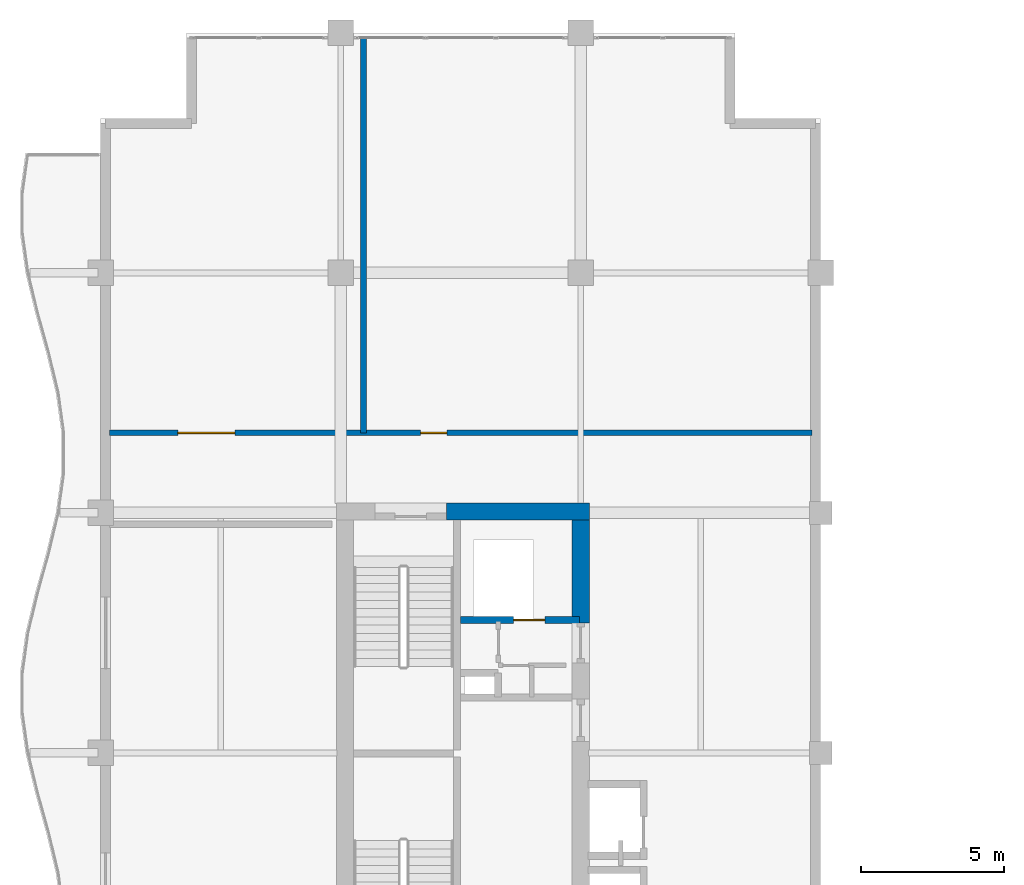
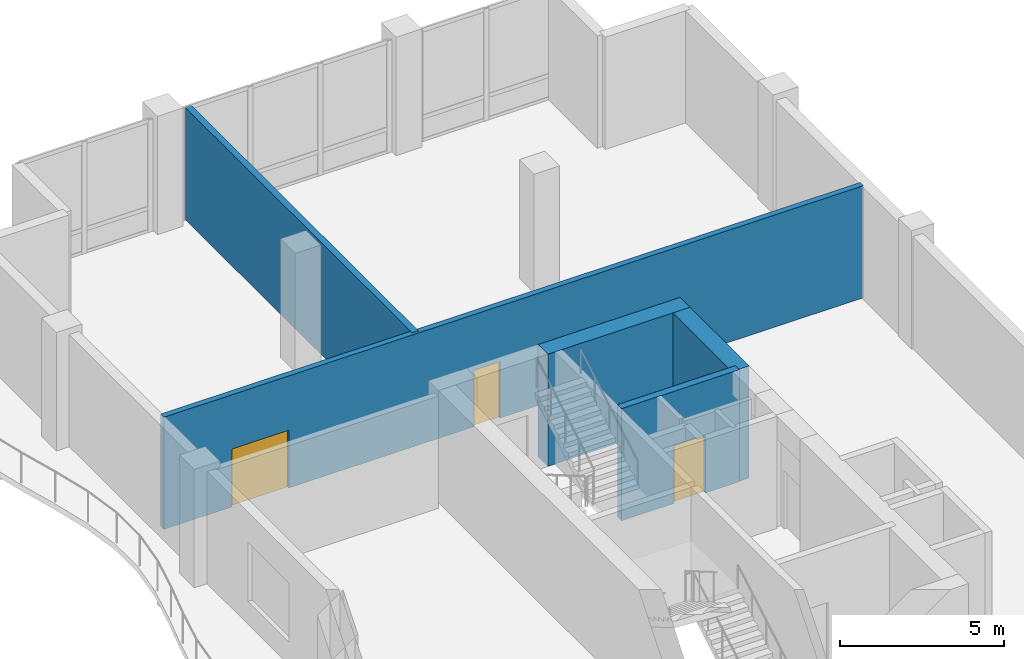
# One storey, part 9 of 16: 5 walls, 3 doors, 3 openings.
"""IFC4 building model written with IfcOpenShell, lengths in metres."""

from ifc_helpers import new_model, si_unit, direction, frame, frame_2d, origin, place, context, subcontext, project, spatial, rectangle, extrude, material, layer, layer_set, type_object, element, fill, save


model = new_model("IFC4")

# Units and contexts
model_context = context("Model", 3, precision=1e-05, world=origin(), true_north=direction((0.0, 1.0)))
body_context = subcontext(model_context, "Body", "Model", "MODEL_VIEW")
ifc_project = project(units=[si_unit("LENGTHUNIT", "METRE"), si_unit("AREAUNIT", "SQUARE_METRE"), si_unit("VOLUMEUNIT", "CUBIC_METRE"), si_unit("PLANEANGLEUNIT", "RADIAN"), si_unit("MASSUNIT", "GRAM", prefix="KILO")], contexts=[model_context])

# Site, building, storey
site_placement = place(None, origin())
site = spatial("IfcSite", under=ifc_project, at=site_placement, CompositionType="ELEMENT")
building_placement = place(site_placement, origin())
building = spatial("IfcBuilding", under=site, at=building_placement, Name="Koriwani Terraces Tower", CompositionType="ELEMENT")
storey_placement = place(building_placement, frame((0.0, 0.0, 286.0)))
storey = spatial("IfcBuildingStorey", under=building, at=storey_placement, Name="L71", CompositionType="ELEMENT", Elevation=286.0)

# Walls
ifc_material_1 = material(Name="Concrete C60/75", Category="concrete")
ifc_layer_1 = layer(ifc_material_1, 0.60009765625, Name="Concrete C60/75")
ifc_layer_set_1 = layer_set([ifc_layer_1], Name="Concrete C60/75")
wall_type_1 = type_object("IfcWallType", Name="WALL_CORE_RC_600", PredefinedType="SHEAR", material=ifc_layer_set_1)
wall_1_placement = place(storey_placement, frame((20.5, 58.85009765625, 0.0), z_axis=(0.0, 0.0, 1.0), x_axis=(1.0, 0.0, 0.0)))
element("IfcWall", 1, at=wall_1_placement, inside=storey, type_object=wall_type_1, Name="L71 West Split Core Shear Wall N2", PredefinedType="SHEAR", context=body_context, shape_type="SweptSolid", body=[
    extrude(rectangle(XDim=5.0, YDim=0.60009765625, at=frame_2d((2.5, 0.0))), origin(), (0.0, 0.0, 1.0), 4.169921875),
])
wall_2_placement = place(storey_placement, frame((25.199951171875, 54.949951171875, 0.0), z_axis=(0.0, 0.0, 1.0), x_axis=(0.0, 1.0, 0.0)))
element("IfcWall", 2, at=wall_2_placement, inside=storey, type_object=wall_type_1, Name="L71 West Split Core Shear Wall E3", PredefinedType="SHEAR", context=body_context, shape_type="SweptSolid", body=[
    extrude(rectangle(XDim=3.60009765625, YDim=0.60009765625, at=frame_2d((1.800048828125, 0.0))), origin(), (0.0, 0.0, 1.0), 4.169921875),
])

# Wall, openings, doors
ifc_material_2 = material(Name="Autoclaved Cellular Concrete Blockwork", Category="masonry")
ifc_layer_2 = layer(ifc_material_2, 0.199951171875, Name="Autoclaved Cellular Concrete Blockwork")
ifc_layer_set_2 = layer_set([ifc_layer_2], Name="Autoclaved Cellular Concrete Blockwork")
wall_type_2 = type_object("IfcWallType", Name="WALL_CORRIDOR_200", PredefinedType="PARTITIONING", material=ifc_layer_set_2)
wall_3_placement = place(storey_placement, frame((8.699951171875, 61.60009765625, 0.0), z_axis=(0.0, 0.0, 1.0), x_axis=(1.0, 0.0, 0.0)))
wall_3 = element("IfcWall", 3, at=wall_3_placement, inside=storey, type_object=wall_type_2, Name="L71 Interior Wall WSKY-N1-L71", PredefinedType="PARTITIONING", context=body_context, shape_type="SweptSolid", body=[
    extrude(rectangle(XDim=24.60009765625, YDim=0.199951171875, at=frame_2d((12.300048828125, 0.0))), origin(), (0.0, 0.0, 1.0), 4.169921875),
])
opening_1_placement = place(wall_3_placement, frame((2.39990234375, 0.0, 0.0)))
opening_1 = element("IfcOpeningElement", 4, at=opening_1_placement, cuts=wall_3, Name="Opening D-02", PredefinedType="OPENING", context=body_context, shape_type="SweptSolid", body=[
    extrude(rectangle(XDim=2.0, YDim=2.14990234375, at=frame_2d((1.0, 1.074951171875))), frame((0.0, 0.10986328125, 0.0), z_axis=(0.0, -1.0, 0.0), x_axis=(1.0, 0.0, 0.0)), (0.0, 0.0, 1.0), 0.219970703125),
])
opening_2_placement = place(wall_3_placement, frame((10.89990234375, 0.0, 0.0)))
opening_2 = element("IfcOpeningElement", 5, at=opening_2_placement, cuts=wall_3, Name="Opening D-06", PredefinedType="OPENING", context=body_context, shape_type="SweptSolid", body=[
    extrude(rectangle(XDim=0.919921875, YDim=2.10009765625, at=frame_2d((0.4599609375, 1.050048828125))), frame((0.0, 0.10986328125, 0.0), z_axis=(0.0, -1.0, 0.0), x_axis=(1.0, 0.0, 0.0)), (0.0, 0.0, 1.0), 0.219970703125),
])
ifc_material_3 = material(Name="Anodised Bronze Aluminium", Category="aluminium")
door_type_1 = type_object("IfcDoorType", Name="DOOR_ENTRANCE_DOUBLE_2000X2400", OperationType="NOTDEFINED", PredefinedType="DOOR", material=ifc_material_3)
door_1_placement = place(opening_1_placement, origin())
door_1 = element("IfcDoor", 6, at=door_1_placement, inside=storey, type_object=door_type_1, Name="L71 North Wellness Studio Door", OperationType="SINGLE_SWING_LEFT", OverallHeight=2.14990234375, OverallWidth=2.0, PredefinedType="DOOR", context=body_context, shape_type="SweptSolid", body=[
    extrude(rectangle(XDim=2.0, YDim=2.14990234375, at=frame_2d((1.0, 1.074951171875))), frame((0.0, 0.02490234375, 0.0), z_axis=(0.0, -1.0, 0.0), x_axis=(1.0, 0.0, 0.0)), (0.0, 0.0, 1.0), 0.050048828125),
])
fill(opening_1, door_1)
ifc_material_4 = material(Name="Architectural Oak Fire Door", Category="wood")
door_type_2 = type_object("IfcDoorType", Name="DOOR_ROOM_INT_920X2100", OperationType="NOTDEFINED", PredefinedType="DOOR", material=ifc_material_4)
door_2_placement = place(opening_2_placement, origin())
door_2 = element("IfcDoor", 7, at=door_2_placement, inside=storey, type_object=door_type_2, Name="L71 North Observatory Salon Door", OperationType="SINGLE_SWING_RIGHT", OverallHeight=2.10009765625, OverallWidth=0.919921875, PredefinedType="DOOR", context=body_context, shape_type="SweptSolid", body=[
    extrude(rectangle(XDim=0.919921875, YDim=2.10009765625, at=frame_2d((0.4599609375, 1.050048828125))), frame((0.0, 0.02490234375, 0.0), z_axis=(0.0, -1.0, 0.0), x_axis=(1.0, 0.0, 0.0)), (0.0, 0.0, 1.0), 0.050048828125),
])
fill(opening_2, door_2)

# Wall
ifc_layer_3 = layer(ifc_material_2, 0.219970703125, Name="Autoclaved Cellular Concrete Blockwork")
ifc_layer_set_3 = layer_set([ifc_layer_3], Name="Autoclaved Cellular Concrete Blockwork")
wall_type_3 = type_object("IfcWallType", Name="WALL_DEMISING_220", PredefinedType="PARTITIONING", material=ifc_layer_set_3)
wall_4_placement = place(storey_placement, frame((17.60009765625, 61.60009765625, 0.0), z_axis=(0.0, 0.0, 1.0), x_axis=(0.0, 1.0, 0.0)))
element("IfcWall", 8, at=wall_4_placement, inside=storey, type_object=wall_type_3, Name="L71 Interior Wall WSKY-NDIV-L71", PredefinedType="PARTITIONING", context=body_context, shape_type="SweptSolid", body=[
    extrude(rectangle(XDim=13.849853515625, YDim=0.219970703125, at=frame_2d((6.9248046875, 0.0))), origin(), (0.0, 0.0, 1.0), 4.169921875),
])

# Wall, opening, door
ifc_material_5 = material(Name="Concrete C40/50", Category="concrete")
ifc_layer_4 = layer(ifc_material_5, 0.25, Name="Concrete C40/50")
ifc_layer_set_4 = layer_set([ifc_layer_4], Name="Concrete C40/50")
wall_type_4 = type_object("IfcWallType", Name="WALL_SHAFT_RATED_250", PredefinedType="SOLIDWALL", material=ifc_layer_set_4)
wall_5_placement = place(storey_placement, frame((21.0, 55.050048828125, 0.0), z_axis=(0.0, 0.0, 1.0), x_axis=(1.0, 0.0, 0.0)))
wall_5 = element("IfcWall", 9, at=wall_5_placement, inside=storey, type_object=wall_type_4, Name="L71 Interior Wall WIN-CW-L71-SE", PredefinedType="SOLIDWALL", context=body_context, shape_type="SweptSolid", body=[
    extrude(rectangle(XDim=4.14990234375, YDim=0.25, at=frame_2d((2.074951171875, 0.0))), origin(), (0.0, 0.0, 1.0), 4.169921875),
])
opening_3_placement = place(wall_5_placement, frame((1.85009765625, 0.0, 0.0)))
opening_3 = element("IfcOpeningElement", 10, at=opening_3_placement, cuts=wall_5, Name="Opening LD-01", PredefinedType="OPENING", context=body_context, shape_type="SweptSolid", body=[
    extrude(rectangle(XDim=1.10009765625, YDim=2.14990234375, at=frame_2d((0.550048828125, 1.074951171875))), frame((0.0, 0.135009765625, 0.0), z_axis=(0.0, -1.0, 0.0), x_axis=(1.0, 0.0, 0.0)), (0.0, 0.0, 1.0), 0.27001953125),
])
ifc_material_6 = material(Name="Steel ASTM A572 Grade 50", Category="steel")
door_type_3 = type_object("IfcDoorType", Name="DOOR_LIFT_LANDING_1100X2200", OperationType="NOTDEFINED", PredefinedType="DOOR", material=ifc_material_6)
door_3_placement = place(opening_3_placement, origin())
door_3 = element("IfcDoor", 11, at=door_3_placement, inside=storey, type_object=door_type_3, Name="L71 Goods Lift SE-01 Landing Door", OperationType="SLIDING_TO_LEFT", OverallHeight=2.14990234375, OverallWidth=1.10009765625, PredefinedType="DOOR", context=body_context, shape_type="SweptSolid", body=[
    extrude(rectangle(XDim=1.10009765625, YDim=2.14990234375, at=frame_2d((0.550048828125, 1.074951171875))), frame((0.0, 0.02490234375, 0.0), z_axis=(0.0, -1.0, 0.0), x_axis=(1.0, 0.0, 0.0)), (0.0, 0.0, 1.0), 0.050048828125),
])
fill(opening_3, door_3)

save(model, "model.ifc")
